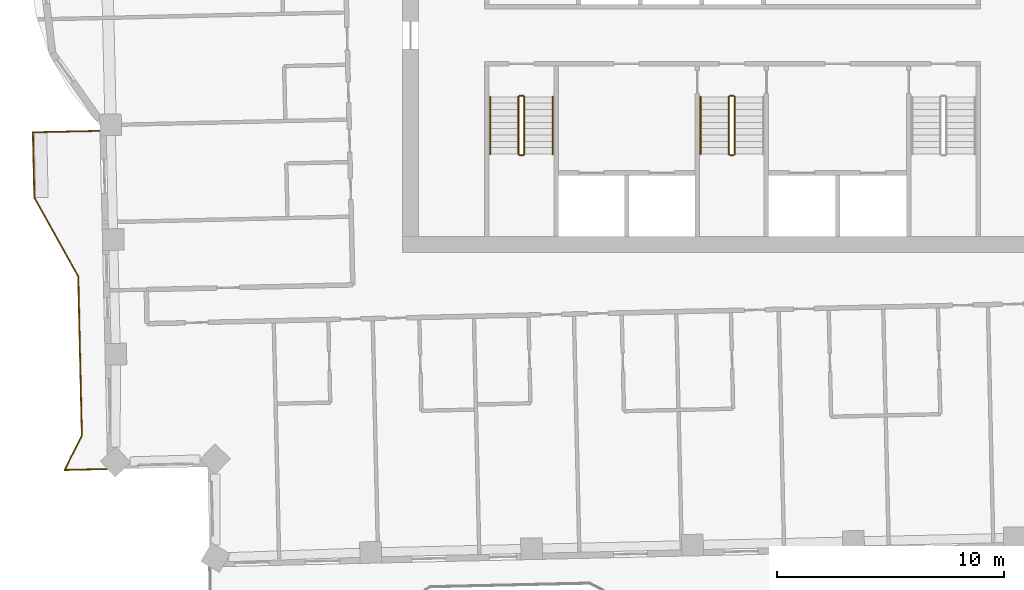
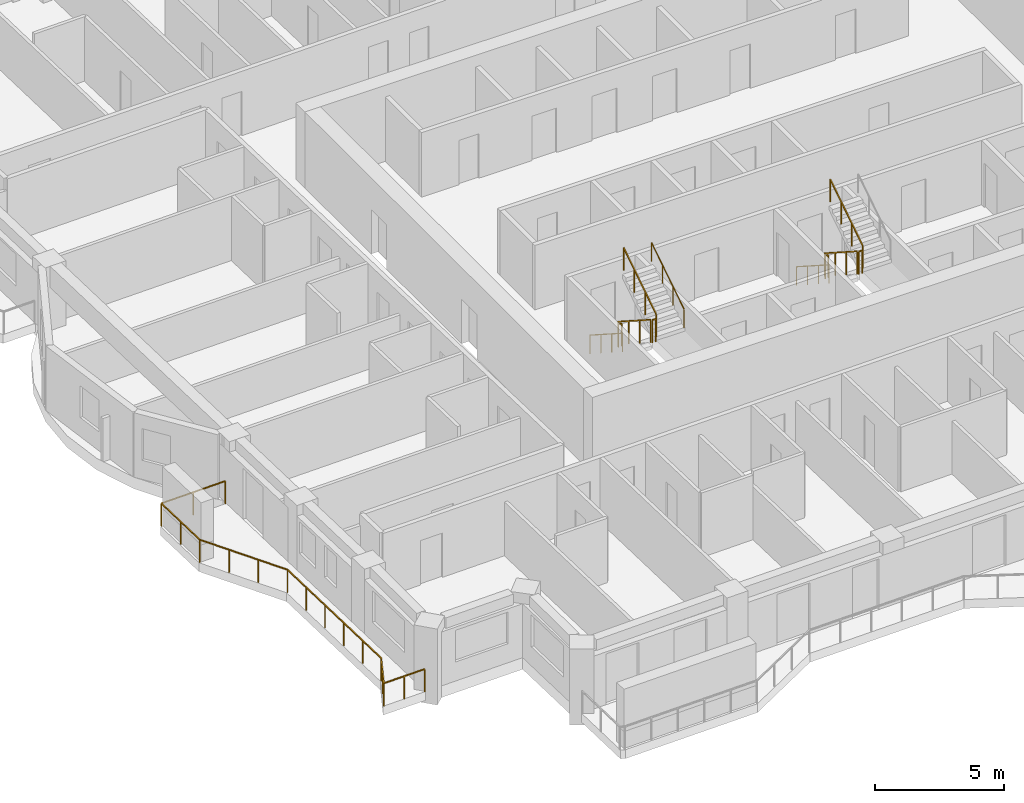
# One storey, part 16 of 19: 12 railings.
"""IFC4 building model written with IfcOpenShell, lengths in metres."""

from ifc_helpers import new_model, si_unit, direction, frame, origin, origin_2d, place, context, subcontext, project, spatial, rectangle, circle, extrude, material, type_object, element, save


model = new_model("IFC4")

# Units and contexts
model_context = context("Model", 3, precision=1e-05, world=origin(), true_north=direction((0.0, 1.0)))
body_context = subcontext(model_context, "Body", "Model", "MODEL_VIEW")
ifc_project = project(units=[si_unit("LENGTHUNIT", "METRE"), si_unit("AREAUNIT", "SQUARE_METRE"), si_unit("VOLUMEUNIT", "CUBIC_METRE"), si_unit("PLANEANGLEUNIT", "RADIAN"), si_unit("MASSUNIT", "GRAM", prefix="KILO")], contexts=[model_context])

# Site, building, storey
site_placement = place(None, origin())
site = spatial("IfcSite", under=ifc_project, at=site_placement, CompositionType="ELEMENT")
building_placement = place(site_placement, origin())
building = spatial("IfcBuilding", under=site, at=building_placement, Name="Mangrove Gate Tower", CompositionType="ELEMENT")
storey_placement = place(building_placement, frame((0.0, 0.0, 297.89990234375)))
storey = spatial("IfcBuildingStorey", under=building, at=storey_placement, Name="L76", CompositionType="ELEMENT", Elevation=297.89990234375)

# Railings
ifc_material_1 = material(Name="Stainless steel grade 316 with laminated glass infill", Category="steel")
railing_type_1 = type_object("IfcRailingType", Name="Balcony guard 1100", PredefinedType="GUARDRAIL", material=ifc_material_1)
railing_1_placement = place(storey_placement, frame((-27.839111328125, -6.14501953125, 0.0)))
element("IfcRailing", 1, at=railing_1_placement, inside=storey, type_object=railing_type_1, Name="GUARD L76 W2", PredefinedType="GUARDRAIL", context=body_context, shape_type="SweptSolid", body=[
    extrude(rectangle(XDim=0.048095703125, YDim=0.048095703125, at=origin_2d()), frame((0.0, 0.0, 1.076171875), z_axis=(-0.999743349437, -0.022654696127, 0.0), x_axis=(0.022654696127, -0.999743349437, 0.0)), (0.0, 0.0, 1.0), 2.90966796875),
    extrude(rectangle(XDim=0.048095703125, YDim=0.048095703125, at=origin_2d()), frame((-2.908935546875, -0.06591796875, 1.076171875), z_axis=(0.022590224177, -0.999744808324, 0.0), x_axis=(0.999744808324, 0.022590224177, 0.0)), (0.0, 0.0, 1.0), 2.874755859375),
    extrude(rectangle(XDim=0.048095703125, YDim=0.048095703125, at=origin_2d()), frame((-2.843994140625, -2.93994140625, 1.076171875), z_axis=(0.487307108654, -0.873230657876, 0.0), x_axis=(0.873230657876, 0.487307108654, 0.0)), (0.0, 0.0, 1.0), 3.958984375),
    extrude(rectangle(XDim=0.048095703125, YDim=0.048095703125, at=origin_2d()), frame((-0.914794921875, -6.39697265625, 1.076171875), z_axis=(0.022705559911, -0.999742195543, 0.0), x_axis=(0.999742195543, 0.022705559911, 0.0)), (0.0, 0.0, 1.0), 6.999755859375),
    extrude(rectangle(XDim=0.048095703125, YDim=0.048095703125, at=origin_2d()), frame((-0.755859375, -13.39501953125, 1.076171875), z_axis=(-0.4472135955, -0.894427191, 0.0), x_axis=(0.894427191, -0.4472135955, 0.0)), (0.0, 0.0, 1.0), 1.697265625),
    extrude(rectangle(XDim=0.048095703125, YDim=0.048095703125, at=origin_2d()), frame((-1.514892578125, -14.9130859375, 1.076171875), z_axis=(0.999743329406, 0.02265558006, 0.0), x_axis=(-0.02265558006, 0.999743329406, 0.0)), (0.0, 0.0, 1.0), 1.853515625),
    extrude(rectangle(XDim=0.0419921875, YDim=0.0419921875, at=origin_2d()), origin(), (0.0, 0.0, 1.0), 1.052001953125),
    extrude(rectangle(XDim=0.0419921875, YDim=0.0419921875, at=origin_2d()), frame((-1.45458984375, -0.032958984375, 0.0)), (0.0, 0.0, 1.0), 1.052001953125),
    extrude(rectangle(XDim=0.0419921875, YDim=0.0419921875, at=origin_2d()), frame((-2.908935546875, -0.06591796875, 0.0)), (0.0, 0.0, 1.0), 1.052001953125),
    extrude(rectangle(XDim=0.0419921875, YDim=0.0419921875, at=origin_2d()), frame((-2.87646484375, -1.5029296875, 0.0)), (0.0, 0.0, 1.0), 1.052001953125),
    extrude(rectangle(XDim=0.0419921875, YDim=0.0419921875, at=origin_2d()), frame((-2.843994140625, -2.93994140625, 0.0)), (0.0, 0.0, 1.0), 1.052001953125),
    extrude(rectangle(XDim=0.0419921875, YDim=0.0419921875, at=origin_2d()), frame((-2.200927734375, -4.09228515625, 0.0)), (0.0, 0.0, 1.0), 1.052001953125),
    extrude(rectangle(XDim=0.0419921875, YDim=0.0419921875, at=origin_2d()), frame((-1.557861328125, -5.24462890625, 0.0)), (0.0, 0.0, 1.0), 1.052001953125),
    extrude(rectangle(XDim=0.0419921875, YDim=0.0419921875, at=origin_2d()), frame((-0.914794921875, -6.39697265625, 0.0)), (0.0, 0.0, 1.0), 1.052001953125),
    extrude(rectangle(XDim=0.0419921875, YDim=0.0419921875, at=origin_2d()), frame((-0.883056640625, -7.796630859375, 0.0)), (0.0, 0.0, 1.0), 1.052001953125),
    extrude(rectangle(XDim=0.0419921875, YDim=0.0419921875, at=origin_2d()), frame((-0.851318359375, -9.1962890625, 0.0)), (0.0, 0.0, 1.0), 1.052001953125),
    extrude(rectangle(XDim=0.0419921875, YDim=0.0419921875, at=origin_2d()), frame((-0.8193359375, -10.595703125, 0.0)), (0.0, 0.0, 1.0), 1.052001953125),
    extrude(rectangle(XDim=0.0419921875, YDim=0.0419921875, at=origin_2d()), frame((-0.78759765625, -11.995361328125, 0.0)), (0.0, 0.0, 1.0), 1.052001953125),
    extrude(rectangle(XDim=0.0419921875, YDim=0.0419921875, at=origin_2d()), frame((-0.755859375, -13.39501953125, 0.0)), (0.0, 0.0, 1.0), 1.052001953125),
    extrude(rectangle(XDim=0.0419921875, YDim=0.0419921875, at=origin_2d()), frame((-1.13525390625, -14.154052734375, 0.0)), (0.0, 0.0, 1.0), 1.052001953125),
    extrude(rectangle(XDim=0.0419921875, YDim=0.0419921875, at=origin_2d()), frame((-1.514892578125, -14.9130859375, 0.0)), (0.0, 0.0, 1.0), 1.052001953125),
    extrude(rectangle(XDim=0.0419921875, YDim=0.0419921875, at=origin_2d()), frame((-0.58837890625, -14.89208984375, 0.0)), (0.0, 0.0, 1.0), 1.052001953125),
    extrude(rectangle(XDim=0.0419921875, YDim=0.0419921875, at=origin_2d()), frame((0.338134765625, -14.87109375, 0.0)), (0.0, 0.0, 1.0), 1.052001953125),
])
ifc_material_2 = material(Name="Stainless steel 316", Category="steel")
railing_type_2 = type_object("IfcRailingType", Name="Core stair guard 1100", PredefinedType="GUARDRAIL", material=ifc_material_2)
railing_2_placement = place(storey_placement, frame((-9.39990234375, -4.64990234375, 0.18017578125)))
element("IfcRailing", 2, at=railing_2_placement, inside=storey, type_object=railing_type_2, Name="L76 ST1 stair guard 1", PredefinedType="GUARDRAIL", context=body_context, shape_type="SweptSolid", body=[
    extrude(rectangle(XDim=0.048095703125, YDim=0.048095703125, at=origin_2d()), frame((0.0, 0.0, 1.076171875), z_axis=(0.0, -0.841199657755, 0.540724639528), x_axis=(1.0, 0.0, 0.0)), (0.0, 0.0, 1.0), 2.995849609375),
    extrude(rectangle(XDim=0.0419921875, YDim=0.0419921875, at=origin_2d()), origin(), (0.0, 0.0, 1.0), 1.052001953125),
    extrude(rectangle(XDim=0.0419921875, YDim=0.0419921875, at=origin_2d()), frame((0.0, -0.840087890625, 0.5400390625)), (0.0, 0.0, 1.0), 1.052001953125),
    extrude(rectangle(XDim=0.0419921875, YDim=0.0419921875, at=origin_2d()), frame((0.0, -1.679931640625, 1.079833984375)), (0.0, 0.0, 1.0), 1.052001953125),
    extrude(rectangle(XDim=0.0419921875, YDim=0.0419921875, at=origin_2d()), frame((0.0, -2.52001953125, 1.619873046875)), (0.0, 0.0, 1.0), 1.052001953125),
])
railing_3_placement = place(storey_placement, frame((-9.35009765625, -7.219970703125, 1.800048828125)))
element("IfcRailing", 3, at=railing_3_placement, inside=storey, type_object=railing_type_2, Name="L76 ST1 stair guard 2", PredefinedType="GUARDRAIL", context=body_context, shape_type="SweptSolid", body=[
    extrude(rectangle(XDim=0.048095703125, YDim=0.048095703125, at=origin_2d()), frame((0.0, 0.0, 1.076171875), z_axis=(1.0, 0.0, 0.0), x_axis=(0.0, 1.0, 0.0)), (0.0, 0.0, 1.0), 0.150146484375),
    extrude(rectangle(XDim=0.0419921875, YDim=0.0419921875, at=origin_2d()), origin(), (0.0, 0.0, 1.0), 1.052001953125),
    extrude(rectangle(XDim=0.0419921875, YDim=0.0419921875, at=origin_2d()), frame((0.150146484375, 0.0, 0.0)), (0.0, 0.0, 1.0), 1.052001953125),
])
railing_4_placement = place(storey_placement, frame((-9.14990234375, -7.169921875, 1.97998046875)))
element("IfcRailing", 4, at=railing_4_placement, inside=storey, type_object=railing_type_2, Name="L76 ST1 stair guard 3", PredefinedType="GUARDRAIL", context=body_context, shape_type="SweptSolid", body=[
    extrude(rectangle(XDim=0.048095703125, YDim=0.048095703125, at=origin_2d()), frame((0.0, 0.0, 1.076171875), z_axis=(0.0, 0.841162588446, 0.540782303519), x_axis=(-1.0, 0.0, 0.0)), (0.0, 0.0, 1.0), 2.995849609375),
    extrude(rectangle(XDim=0.0419921875, YDim=0.0419921875, at=origin_2d()), origin(), (0.0, 0.0, 1.0), 1.052001953125),
    extrude(rectangle(XDim=0.0419921875, YDim=0.0419921875, at=origin_2d()), frame((0.0, 0.840087890625, 0.5400390625)), (0.0, 0.0, 1.0), 1.052001953125),
    extrude(rectangle(XDim=0.0419921875, YDim=0.0419921875, at=origin_2d()), frame((0.0, 1.679931640625, 1.080078125)), (0.0, 0.0, 1.0), 1.052001953125),
    extrude(rectangle(XDim=0.0419921875, YDim=0.0419921875, at=origin_2d()), frame((0.0, 2.52001953125, 1.6201171875)), (0.0, 0.0, 1.0), 1.052001953125),
])
railing_5_placement = place(storey_placement, frame((-9.35009765625, -4.60009765625, 0.0)))
element("IfcRailing", 5, at=railing_5_placement, inside=storey, type_object=railing_type_2, Name="L76 ST1 stair guard 4", PredefinedType="GUARDRAIL", context=body_context, shape_type="SweptSolid", body=[
    extrude(rectangle(XDim=0.048095703125, YDim=0.048095703125, at=origin_2d()), frame((0.0, 0.0, 1.076171875), z_axis=(1.0, 0.0, 0.0), x_axis=(0.0, 1.0, 0.0)), (0.0, 0.0, 1.0), 0.150146484375),
    extrude(rectangle(XDim=0.0419921875, YDim=0.0419921875, at=origin_2d()), origin(), (0.0, 0.0, 1.0), 1.052001953125),
    extrude(rectangle(XDim=0.0419921875, YDim=0.0419921875, at=origin_2d()), frame((0.150146484375, 0.0, 0.0)), (0.0, 0.0, 1.0), 1.052001953125),
])
railing_6_placement = place(storey_placement, frame((-0.14990234375, -4.64990234375, 0.18017578125)))
element("IfcRailing", 6, at=railing_6_placement, inside=storey, type_object=railing_type_2, Name="L76 ST2 stair guard 1", PredefinedType="GUARDRAIL", context=body_context, shape_type="SweptSolid", body=[
    extrude(rectangle(XDim=0.048095703125, YDim=0.048095703125, at=origin_2d()), frame((0.0, 0.0, 1.076171875), z_axis=(0.0, -0.841199657755, 0.540724639528), x_axis=(1.0, 0.0, 0.0)), (0.0, 0.0, 1.0), 2.995849609375),
    extrude(rectangle(XDim=0.0419921875, YDim=0.0419921875, at=origin_2d()), origin(), (0.0, 0.0, 1.0), 1.052001953125),
    extrude(rectangle(XDim=0.0419921875, YDim=0.0419921875, at=origin_2d()), frame((0.0, -0.840087890625, 0.5400390625)), (0.0, 0.0, 1.0), 1.052001953125),
    extrude(rectangle(XDim=0.0419921875, YDim=0.0419921875, at=origin_2d()), frame((0.0, -1.679931640625, 1.079833984375)), (0.0, 0.0, 1.0), 1.052001953125),
    extrude(rectangle(XDim=0.0419921875, YDim=0.0419921875, at=origin_2d()), frame((0.0, -2.52001953125, 1.619873046875)), (0.0, 0.0, 1.0), 1.052001953125),
])
railing_7_placement = place(storey_placement, frame((-0.10009765625, -7.219970703125, 1.800048828125)))
element("IfcRailing", 7, at=railing_7_placement, inside=storey, type_object=railing_type_2, Name="L76 ST2 stair guard 2", PredefinedType="GUARDRAIL", context=body_context, shape_type="SweptSolid", body=[
    extrude(rectangle(XDim=0.048095703125, YDim=0.048095703125, at=origin_2d()), frame((0.0, 0.0, 1.076171875), z_axis=(1.0, 0.0, 0.0), x_axis=(0.0, 1.0, 0.0)), (0.0, 0.0, 1.0), 0.150146484375),
    extrude(rectangle(XDim=0.0419921875, YDim=0.0419921875, at=origin_2d()), origin(), (0.0, 0.0, 1.0), 1.052001953125),
    extrude(rectangle(XDim=0.0419921875, YDim=0.0419921875, at=origin_2d()), frame((0.150146484375, 0.0, 0.0)), (0.0, 0.0, 1.0), 1.052001953125),
])
railing_8_placement = place(storey_placement, frame((0.10009765625, -7.169921875, 1.97998046875)))
element("IfcRailing", 8, at=railing_8_placement, inside=storey, type_object=railing_type_2, Name="L76 ST2 stair guard 3", PredefinedType="GUARDRAIL", context=body_context, shape_type="SweptSolid", body=[
    extrude(rectangle(XDim=0.048095703125, YDim=0.048095703125, at=origin_2d()), frame((0.0, 0.0, 1.076171875), z_axis=(0.0, 0.841162588446, 0.540782303519), x_axis=(-1.0, 0.0, 0.0)), (0.0, 0.0, 1.0), 2.995849609375),
    extrude(rectangle(XDim=0.0419921875, YDim=0.0419921875, at=origin_2d()), origin(), (0.0, 0.0, 1.0), 1.052001953125),
    extrude(rectangle(XDim=0.0419921875, YDim=0.0419921875, at=origin_2d()), frame((0.0, 0.840087890625, 0.5400390625)), (0.0, 0.0, 1.0), 1.052001953125),
    extrude(rectangle(XDim=0.0419921875, YDim=0.0419921875, at=origin_2d()), frame((0.0, 1.679931640625, 1.080078125)), (0.0, 0.0, 1.0), 1.052001953125),
    extrude(rectangle(XDim=0.0419921875, YDim=0.0419921875, at=origin_2d()), frame((0.0, 2.52001953125, 1.6201171875)), (0.0, 0.0, 1.0), 1.052001953125),
])
railing_9_placement = place(storey_placement, frame((-0.10009765625, -4.60009765625, 0.0)))
element("IfcRailing", 9, at=railing_9_placement, inside=storey, type_object=railing_type_2, Name="L76 ST2 stair guard 4", PredefinedType="GUARDRAIL", context=body_context, shape_type="SweptSolid", body=[
    extrude(rectangle(XDim=0.048095703125, YDim=0.048095703125, at=origin_2d()), frame((0.0, 0.0, 1.076171875), z_axis=(1.0, 0.0, 0.0), x_axis=(0.0, 1.0, 0.0)), (0.0, 0.0, 1.0), 0.150146484375),
    extrude(rectangle(XDim=0.0419921875, YDim=0.0419921875, at=origin_2d()), origin(), (0.0, 0.0, 1.0), 1.052001953125),
    extrude(rectangle(XDim=0.0419921875, YDim=0.0419921875, at=origin_2d()), frame((0.150146484375, 0.0, 0.0)), (0.0, 0.0, 1.0), 1.052001953125),
])
ifc_material_3 = material(Name="Stainless steel 316", Category="steel")
railing_type_3 = type_object("IfcRailingType", Name="Core stair handrail 900", PredefinedType="HANDRAIL", material=ifc_material_3)
railing_10_placement = place(storey_placement, frame((-10.64990234375, -4.64990234375, 0.18017578125)))
element("IfcRailing", 10, at=railing_10_placement, inside=storey, type_object=railing_type_3, Name="L76 ST1 stair handrail 1", PredefinedType="HANDRAIL", context=body_context, shape_type="SweptSolid", body=[
    extrude(circle(Radius=0.02392578125, at=origin_2d()), frame((0.0, 0.0, 0.8759765625), z_axis=(0.0, -0.841199657755, 0.540724639528), x_axis=(1.0, 0.0, 0.0)), (0.0, 0.0, 1.0), 2.995849609375),
    extrude(circle(Radius=0.02099609375, at=origin_2d()), origin(), (0.0, 0.0, 1.0), 0.851806640625),
    extrude(circle(Radius=0.02099609375, at=origin_2d()), frame((0.0, -0.840087890625, 0.5400390625)), (0.0, 0.0, 1.0), 0.851806640625),
    extrude(circle(Radius=0.02099609375, at=origin_2d()), frame((0.0, -1.679931640625, 1.079833984375)), (0.0, 0.0, 1.0), 0.851806640625),
    extrude(circle(Radius=0.02099609375, at=origin_2d()), frame((0.0, -2.52001953125, 1.619873046875)), (0.0, 0.0, 1.0), 0.851806640625),
])
railing_11_placement = place(storey_placement, frame((-7.89990234375, -7.169921875, 1.97998046875)))
element("IfcRailing", 11, at=railing_11_placement, inside=storey, type_object=railing_type_3, Name="L76 ST1 stair handrail 2", PredefinedType="HANDRAIL", context=body_context, shape_type="SweptSolid", body=[
    extrude(circle(Radius=0.02392578125, at=origin_2d()), frame((0.0, 0.0, 0.8759765625), z_axis=(0.0, 0.841162588446, 0.540782303519), x_axis=(-1.0, 0.0, 0.0)), (0.0, 0.0, 1.0), 2.995849609375),
    extrude(circle(Radius=0.02099609375, at=origin_2d()), origin(), (0.0, 0.0, 1.0), 0.851806640625),
    extrude(circle(Radius=0.02099609375, at=origin_2d()), frame((0.0, 0.840087890625, 0.5400390625)), (0.0, 0.0, 1.0), 0.851806640625),
    extrude(circle(Radius=0.02099609375, at=origin_2d()), frame((0.0, 1.679931640625, 1.080078125)), (0.0, 0.0, 1.0), 0.851806640625),
    extrude(circle(Radius=0.02099609375, at=origin_2d()), frame((0.0, 2.52001953125, 1.6201171875)), (0.0, 0.0, 1.0), 0.851806640625),
])
railing_12_placement = place(storey_placement, frame((-1.39990234375, -4.64990234375, 0.18017578125)))
element("IfcRailing", 12, at=railing_12_placement, inside=storey, type_object=railing_type_3, Name="L76 ST2 stair handrail 1", PredefinedType="HANDRAIL", context=body_context, shape_type="SweptSolid", body=[
    extrude(circle(Radius=0.02392578125, at=origin_2d()), frame((0.0, 0.0, 0.8759765625), z_axis=(0.0, -0.841199657755, 0.540724639528), x_axis=(1.0, 0.0, 0.0)), (0.0, 0.0, 1.0), 2.995849609375),
    extrude(circle(Radius=0.02099609375, at=origin_2d()), origin(), (0.0, 0.0, 1.0), 0.851806640625),
    extrude(circle(Radius=0.02099609375, at=origin_2d()), frame((0.0, -0.840087890625, 0.5400390625)), (0.0, 0.0, 1.0), 0.851806640625),
    extrude(circle(Radius=0.02099609375, at=origin_2d()), frame((0.0, -1.679931640625, 1.079833984375)), (0.0, 0.0, 1.0), 0.851806640625),
    extrude(circle(Radius=0.02099609375, at=origin_2d()), frame((0.0, -2.52001953125, 1.619873046875)), (0.0, 0.0, 1.0), 0.851806640625),
])

save(model, "model.ifc")
